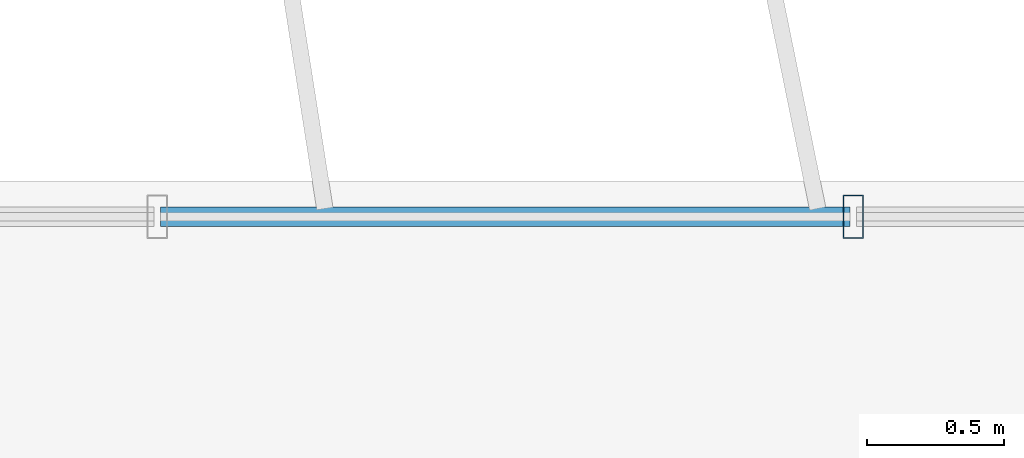
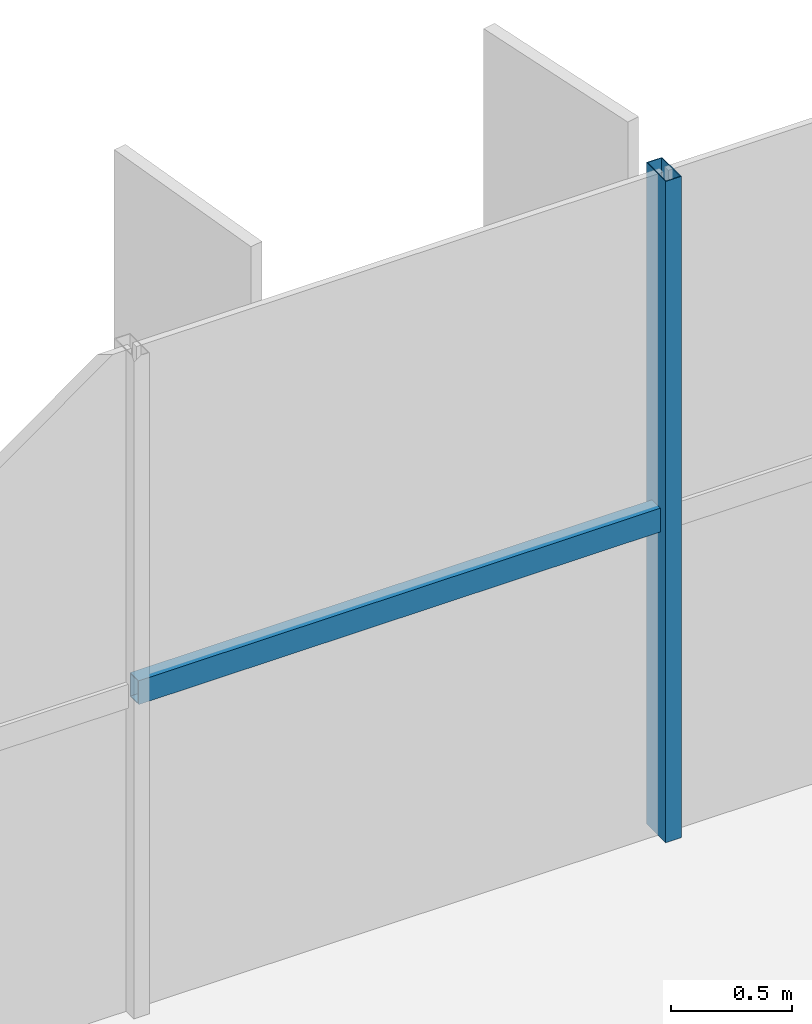
# One storey, part 8 of 21: 2 members, 1 element without a shape of its own.
"""IFC4 building model written with IfcOpenShell, lengths in metres."""

from ifc_helpers import new_model, si_unit, direction, frame, origin, origin_2d, place, context, subcontext, project, spatial, hollow_rectangle, extrude, source, transform, mapped, material, material_profile, profile_set, type_object, element, aggregate, save


model = new_model("IFC4")

# Units and contexts
model_context = context("Model", 3, precision=1e-05, world=origin(), true_north=direction((0.0, 1.0)))
body_context = subcontext(model_context, "Body", "Model", "MODEL_VIEW")
ifc_project = project(units=[si_unit("LENGTHUNIT", "METRE"), si_unit("AREAUNIT", "SQUARE_METRE"), si_unit("VOLUMEUNIT", "CUBIC_METRE"), si_unit("PLANEANGLEUNIT", "RADIAN"), si_unit("MASSUNIT", "GRAM", prefix="KILO")], contexts=[model_context])

# Site, building, storey
site_placement = place(None, origin())
site = spatial("IfcSite", under=ifc_project, at=site_placement, CompositionType="ELEMENT")
building_placement = place(site_placement, origin())
building = spatial("IfcBuilding", under=site, at=building_placement, Name="Trelvane Seafront Commons", CompositionType="ELEMENT")
storey_placement = place(building_placement, frame((0.0, 0.0, 41.5)))
storey = spatial("IfcBuildingStorey", under=building, at=storey_placement, Name="L10", CompositionType="ELEMENT", Elevation=41.5)

# Curtain wall, members
ifc_material = material(Name="Anodised pale-silver aluminium", Category="aluminium")
curtain_wall_type = type_object("IfcCurtainWallType", Name="ARCH-CW2-LOWTOWER", PredefinedType="NOTDEFINED", material=ifc_material)
curtain_wall_placement = place(storey_placement, origin())
curtain_wall = element("IfcCurtainWall", 1, at=curtain_wall_placement, inside=storey, type_object=curtain_wall_type, Name="CW-L10-0034", PredefinedType="NOTDEFINED")
ifc_material_profile_1 = material_profile(ifc_material, hollow_rectangle(XDim=0.074951171875, YDim=0.159912109375, WallThickness=0.00390625, at=origin_2d()), Name="MULL-75x160x4")
ifc_profile_set_1 = profile_set([ifc_material_profile_1], Name="Anodised pale-silver aluminium")
member_type_1 = type_object("IfcMemberType", Name="ARCH-CW-MULL-160", PredefinedType="MULLION", material=ifc_profile_set_1)
shared_shape_1 = source(origin(), body_context, "Body", "SweptSolid", [
    extrude(hollow_rectangle(XDim=0.074951171875, YDim=0.159912109375, WallThickness=0.00390625, at=origin_2d()), origin(), (0.0, 0.0, 1.0), 3.340087890625),
])
member_1_placement = place(storey_placement, frame((35.929443359375, 48.3701171875, 0.0), z_axis=(0.0, 0.0, 1.0), x_axis=(1.0, 0.0, 0.0)))
member_1 = element("IfcMember", 2, at=member_1_placement, type_object=member_type_1, Name="CW-L10-0034-M08", PredefinedType="MULLION", context=body_context, shape_type="MappedRepresentation", body=[
    mapped(shared_shape_1, transform((0.0, 0.0, 0.0), x_axis=(1.0, 0.0, 0.0), y_axis=(0.0, 1.0, 0.0), z_axis=(0.0, 0.0, 1.0), scale=1.0)),
])
ifc_material_profile_2 = material_profile(ifc_material, hollow_rectangle(XDim=0.070068359375, YDim=0.1201171875, WallThickness=0.00390625, at=origin_2d()), Name="TRAN-70x120x4")
ifc_profile_set_2 = profile_set([ifc_material_profile_2], Name="Anodised pale-silver aluminium")
member_type_2 = type_object("IfcMemberType", Name="ARCH-CW-TRAN-120", PredefinedType="USERDEFINED", material=ifc_profile_set_2)
shared_shape_2 = source(origin(), body_context, "Body", "SweptSolid", [
    extrude(hollow_rectangle(XDim=0.070068359375, YDim=0.1201171875, WallThickness=0.00390625, at=origin_2d()), origin(), (0.0, 0.0, 1.0), 2.517333984375),
])
member_2_placement = place(storey_placement, frame((33.400146484375, 48.3701171875, 1.60302734375), z_axis=(1.0, 0.0, 0.0), x_axis=(0.0, 1.0, 0.0)))
member_2 = element("IfcMember", 3, at=member_2_placement, type_object=member_type_2, Name="CW-L10-0034-T07", ObjectType="TRANSOM", PredefinedType="USERDEFINED", context=body_context, shape_type="MappedRepresentation", body=[
    mapped(shared_shape_2, transform((0.0, 0.0, 0.0), x_axis=(1.0, 0.0, 0.0), y_axis=(0.0, 1.0, 0.0), z_axis=(0.0, 0.0, 1.0), scale=1.0)),
])
aggregate(curtain_wall, [member_1, member_2])

save(model, "model.ifc")
